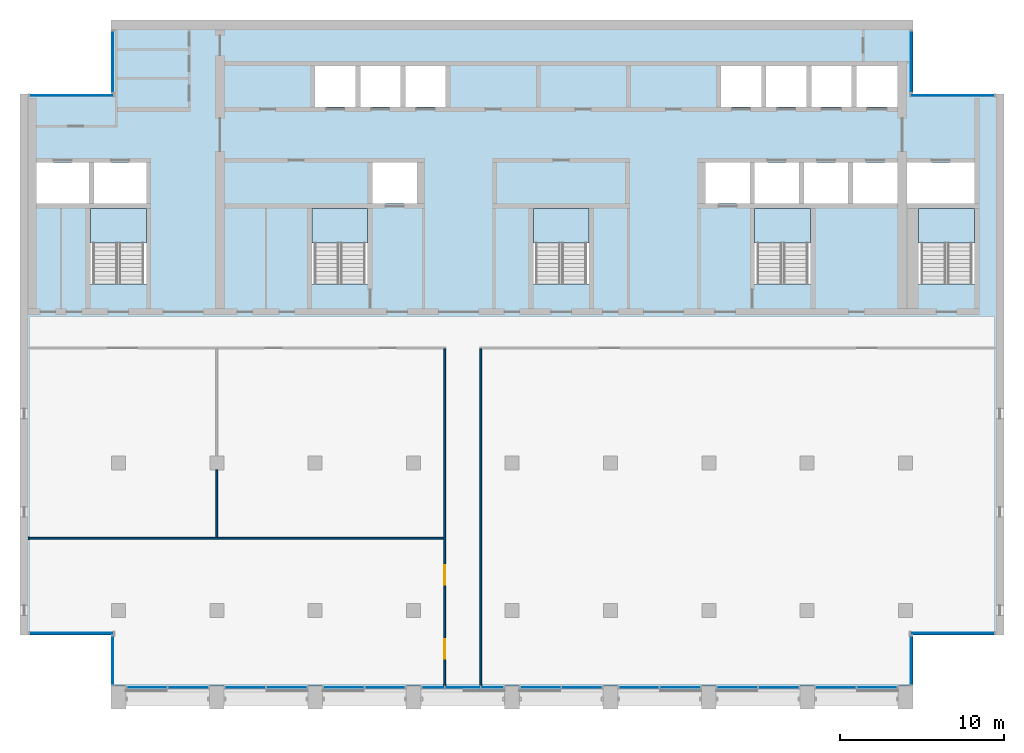
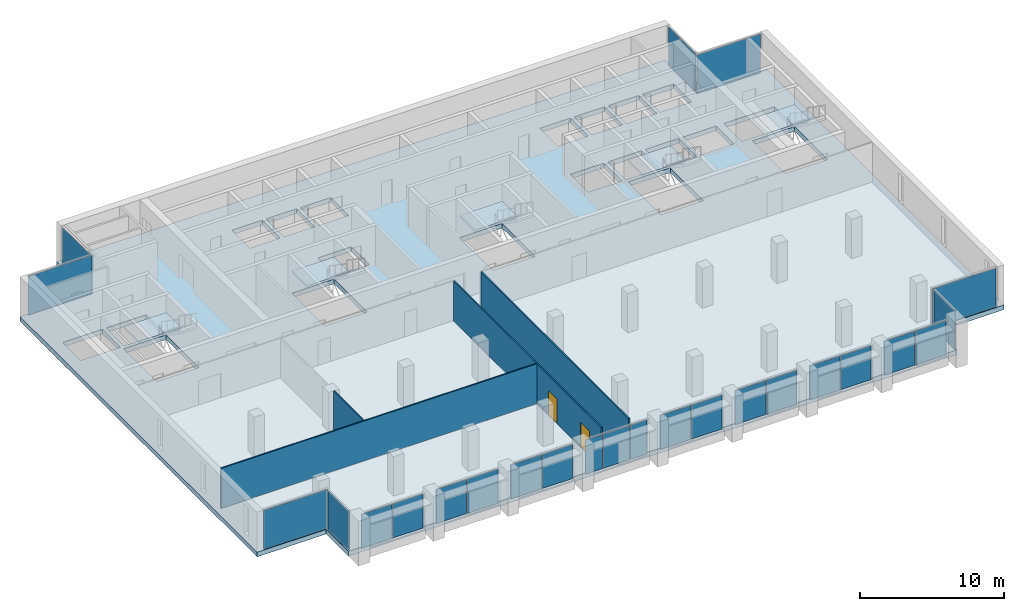
# One storey, part 6 of 14: 25 plates, 6 slabs, 4 walls, 2 doors, 2 openings, 21 elements without a shape of their own.
"""IFC4 building model written with IfcOpenShell, lengths in metres."""

import ifcopenshell
import ifcopenshell.guid

model = None  # the IFC model being written
_history = None  # IfcOwnerHistory: only IFC2X3 demands one
_inside = {}  # id of a spatial element -> (the spatial element, [elements in it])
_under = {}  # id of a project, library or spatial element -> (it, [spatial elements below it])
_declared = {}  # id of a project -> (the project, [libraries it declares])
_typed = {}  # id of a type object -> (the type object, [elements of that type])
_made_of = {}  # id of a material, layer set ... -> (it, [elements and type objects made of it])


def new_model(schema):
    """Start an empty IFC model of exactly this schema.

    Asked for "IFC4X3", IfcOpenShell would pick the latest addendum, in which some entities
    have other attributes; the version numbers below select the first issue.
    IFC2X3 requires an IfcOwnerHistory on every rooted entity: one is made here for all.
    """
    global model, _history
    if schema == "IFC4X3":
        model = ifcopenshell.file(schema_version=(4, 3, 0, 0))
    else:
        model = ifcopenshell.file(schema=schema)
    _inside.clear()
    _under.clear()
    _declared.clear()
    _typed.clear()
    _made_of.clear()
    _history = None
    if model.schema == "IFC2X3":
        org = make("IfcOrganization", Name="unknown")
        user = make(
            "IfcPersonAndOrganization",
            ThePerson=make("IfcPerson", FamilyName="unknown"),
            TheOrganization=org,
        )
        app = make(
            "IfcApplication",
            ApplicationDeveloper=org,
            Version="unknown",
            ApplicationFullName="unknown",
            ApplicationIdentifier="unknown",
        )
        _history = make(
            "IfcOwnerHistory",
            OwningUser=user,
            OwningApplication=app,
            ChangeAction="ADDED",
            CreationDate=0,
        )
    return model


def make(cls, **values):
    """One entity of the class cls with the attributes given. An attribute that is None is left unset."""
    return model.create_entity(
        cls, **{name: value for name, value in values.items() if value is not None}
    )


def rooted(cls, **values):
    """An entity with a GlobalId (a new one), such as an element, a storey or a relation."""
    return make(cls, GlobalId=ifcopenshell.guid.new(), OwnerHistory=_history, **values)


def si_unit(unit_type, name, prefix=None):
    """IfcSIUnit, for example si_unit("LENGTHUNIT", "METRE", prefix="MILLI")."""
    return make("IfcSIUnit", UnitType=unit_type, Prefix=prefix, Name=name)


def assignment(units):
    """IfcUnitAssignment: the units of a project."""
    return None if units is None else make("IfcUnitAssignment", Units=units)


def point(xyz):
    """IfcCartesianPoint."""
    return None if xyz is None else make("IfcCartesianPoint", Coordinates=xyz)


def direction(xyz):
    """IfcDirection."""
    return None if xyz is None else make("IfcDirection", DirectionRatios=xyz)


def frame(location, z_axis=None, x_axis=None):
    """IfcAxis2Placement3D, a coordinate frame: its origin and axes. An axis left out is left unset."""
    return make(
        "IfcAxis2Placement3D",
        Location=point(location),
        Axis=direction(z_axis),
        RefDirection=direction(x_axis),
    )


def frame_2d(location, x_axis=None):
    """IfcAxis2Placement2D, a coordinate frame in the plane: its origin and x axis."""
    return make(
        "IfcAxis2Placement2D", Location=point(location), RefDirection=direction(x_axis)
    )


def origin():
    """The frame at (0, 0, 0) with its axes left unset."""
    return frame((0.0, 0.0, 0.0))


def origin_2d():
    """The frame at (0, 0) in the plane with its x axis left unset."""
    return frame_2d((0.0, 0.0))


def place(relative_to, where):
    """IfcLocalPlacement: puts the frame where relative to a parent placement (None: the world)."""
    return make(
        "IfcLocalPlacement", PlacementRelTo=relative_to, RelativePlacement=where
    )


def context(
    kind, dimensions, precision=None, world=None, true_north=None, identifier=None
):
    """IfcGeometricRepresentationContext, for example the 3D "Model" context."""
    return make(
        "IfcGeometricRepresentationContext",
        ContextIdentifier=identifier,
        ContextType=kind,
        CoordinateSpaceDimension=dimensions,
        Precision=precision,
        WorldCoordinateSystem=world,
        TrueNorth=true_north,
    )


def subcontext(parent, identifier, kind, view, scale=None):
    """IfcGeometricRepresentationSubContext, for example "Body" below "Model"."""
    return make(
        "IfcGeometricRepresentationSubContext",
        ContextIdentifier=identifier,
        ContextType=kind,
        ParentContext=parent,
        TargetScale=scale,
        TargetView=view,
    )


def project(units=None, contexts=None):
    """IfcProject with its units and contexts."""
    return rooted(
        "IfcProject",
        Name="project",
        RepresentationContexts=contexts,
        UnitsInContext=assignment(units),
    )


def spatial(cls, under=None, at=None, **own):
    """A site, building, storey or space (cls), placed at a placement, below another one or the project."""
    s = rooted(cls, ObjectPlacement=at, **own)
    if under is not None:
        _under.setdefault(under.id(), (under, []))[1].append(s)
    return s


def polyline(points):
    """IfcPolyline through the points."""
    return make("IfcPolyline", Points=[point(p) for p in points])


def profile(cls, at=None, kind="AREA", **sizes):
    """A parametric profile (cls). Its sizes go by their IFC names, for example OverallWidth=200.0."""
    return make(cls, ProfileType=kind, Position=at, **sizes)


def rectangle(**sizes):
    """IfcRectangleProfileDef."""
    return profile("IfcRectangleProfileDef", **sizes)


def outline(outer, holes=None, kind="AREA"):
    """IfcArbitraryClosedProfileDef: a profile drawn as a closed curve; with holes, ...WithVoids."""
    if holes is None:
        return make("IfcArbitraryClosedProfileDef", ProfileType=kind, OuterCurve=outer)
    return make(
        "IfcArbitraryProfileDefWithVoids",
        ProfileType=kind,
        OuterCurve=outer,
        InnerCurves=holes,
    )


def extrude(swept, where, along, depth):
    """IfcExtrudedAreaSolid: the profile swept, set in the frame where, extruded along a direction by depth."""
    return make(
        "IfcExtrudedAreaSolid",
        SweptArea=swept,
        Position=where,
        ExtrudedDirection=direction(along),
        Depth=depth,
    )


def shape(context_of_items, identifier, shape_type, items):
    """IfcShapeRepresentation: the items that make up one representation, for example the "Body"."""
    return make(
        "IfcShapeRepresentation",
        ContextOfItems=context_of_items,
        RepresentationIdentifier=identifier,
        RepresentationType=shape_type,
        Items=items,
    )


def material(Name=None, Category=None):
    """IfcMaterial."""
    return make("IfcMaterial", Name=Name, Category=Category)


def layer(
    of_material, thickness, ventilated=None, Name=None, Category=None, Priority=None
):
    """IfcMaterialLayer: one layer of a wall or slab, of a material (None: an air gap)."""
    return make(
        "IfcMaterialLayer",
        Material=of_material,
        LayerThickness=thickness,
        IsVentilated=ventilated,
        Name=Name,
        Category=Category,
        Priority=Priority,
    )


def layer_set(layers, Name=None):
    """IfcMaterialLayerSet."""
    return make("IfcMaterialLayerSet", MaterialLayers=layers, LayerSetName=Name)


def made_of(thing, what):
    """Note that an element or type object is made of a material, layer set ...; save() writes the relation."""
    if what is not None:
        _made_of.setdefault(what.id(), (what, []))[1].append(thing)
    return thing


def type_object(cls, material=None, **own):
    """A type object (cls), such as IfcWallType, which elements share."""
    return made_of(rooted(cls, **own), material)


def element(
    cls,
    number,
    at=None,
    inside=None,
    cuts=None,
    type_object=None,
    material=None,
    context=None,
    identifier="Body",
    shape_type=None,
    held_by="IfcProductDefinitionShape",
    body=None,
    shapes=None,
    **own,
):
    """One element of the class cls, such as IfcWall. Its Tag is "e" and its number.

    at: its placement. inside: the storey or other place that contains it. cuts: it is an
    opening in that element (IfcRelVoidsElement). A single representation is given by context,
    identifier, shape_type and body (its items); several are given by shapes. held_by: the class
    of the entity that holds the representations. save() writes the other relations.
    """
    e = rooted(cls, Tag="e%d" % number, ObjectPlacement=at, **own)
    if body is not None:
        shapes = [shape(context, identifier, shape_type, body)]
    if shapes is not None:
        e.Representation = make(held_by, Representations=shapes)
    if inside is not None:
        _inside.setdefault(inside.id(), (inside, []))[1].append(e)
    if cuts is not None:
        rooted(
            "IfcRelVoidsElement", RelatingBuildingElement=cuts, RelatedOpeningElement=e
        )
    if type_object is not None:
        _typed.setdefault(type_object.id(), (type_object, []))[1].append(e)
    return made_of(e, material)


def fill(opening, filler):
    """IfcRelFillsElement: the door or window that sits in an opening."""
    return rooted(
        "IfcRelFillsElement",
        RelatingOpeningElement=opening,
        RelatedBuildingElement=filler,
    )


def aggregate(whole, parts):
    """IfcRelAggregates: a whole, such as a stair, and the parts it consists of."""
    return rooted("IfcRelAggregates", RelatingObject=whole, RelatedObjects=parts)


def save(model, path):
    """Write the relations noted so far, then the file.

    IfcRelAggregates (storeys below a building ...), IfcRelContainedInSpatialStructure (elements
    in a storey), IfcRelDefinesByType, IfcRelAssociatesMaterial and IfcRelDeclares: one each for
    every whole, place, type object, material and project.
    """
    for whole, parts in _under.values():
        aggregate(whole, parts)
    for where, things in _inside.values():
        rooted(
            "IfcRelContainedInSpatialStructure",
            RelatedElements=things,
            RelatingStructure=where,
        )
    for kind, things in _typed.values():
        rooted("IfcRelDefinesByType", RelatedObjects=things, RelatingType=kind)
    for what, things in _made_of.values():
        rooted("IfcRelAssociatesMaterial", RelatedObjects=things, RelatingMaterial=what)
    for by, libraries in _declared.values():
        rooted("IfcRelDeclares", RelatingContext=by, RelatedDefinitions=libraries)
    model.write(path)


model = new_model("IFC4")

# Units and contexts
model_context = context("Model", 3, precision=1e-05, world=origin(), true_north=direction((0.0, 1.0)))
body_context = subcontext(model_context, "Body", "Model", "MODEL_VIEW")
ifc_project = project(units=[si_unit("LENGTHUNIT", "METRE"), si_unit("AREAUNIT", "SQUARE_METRE"), si_unit("VOLUMEUNIT", "CUBIC_METRE"), si_unit("PLANEANGLEUNIT", "RADIAN"), si_unit("MASSUNIT", "GRAM", prefix="KILO")], contexts=[model_context])

# Site, building, storey
site_placement = place(None, origin())
site = spatial("IfcSite", under=ifc_project, at=site_placement, CompositionType="ELEMENT")
building_placement = place(site_placement, origin())
building = spatial("IfcBuilding", under=site, at=building_placement, Name="Calvaro Tower", CompositionType="ELEMENT")
storey_placement = place(building_placement, frame((0.0, 0.0, 250.75)))
storey = spatial("IfcBuildingStorey", under=building, at=storey_placement, Name="L63", CompositionType="ELEMENT", Elevation=250.75)

# Slab
ifc_material_1 = material(Name="Concrete C40/50", Category="concrete")
ifc_layer_1 = layer(ifc_material_1, 0.39990234375)
ifc_layer_set_1 = layer_set([ifc_layer_1], Name="Concrete C40/50")
slab_type_1 = type_object("IfcSlabType", Name="Floor slab 400 C40/50", PredefinedType="FLOOR", material=ifc_layer_set_1)
slab_1_placement = place(storey_placement, frame((0.0, 0.0, -0.39990234375)))
element("IfcSlab", 1, at=slab_1_placement, inside=storey, type_object=slab_type_1, Name="Floor slab", PredefinedType="FLOOR", context=body_context, shape_type="SweptSolid", body=[
    extrude(outline(polyline([(60.449951171875, 8.5), (60.449951171875, 5.39990234375), (11.550048828125, 5.39990234375), (11.550048828125, 8.5), (6.0, 8.5), (6.0, 41.5), (11.550048828125, 41.5), (11.550048828125, 46.0), (60.449951171875, 46.0), (60.449951171875, 41.5), (66.0, 41.5), (66.0, 8.5), (60.449951171875, 8.5)]), holes=[polyline([(10.300048828125, 29.909912109375), (10.300048828125, 34.5), (12.0, 34.5), (13.699951171875, 34.5), (13.699951171875, 29.909912109375), (12.0, 29.909912109375), (10.300048828125, 29.909912109375)]), polyline([(23.800048828125, 29.909912109375), (23.800048828125, 34.5), (25.5, 34.5), (27.199951171875, 34.5), (27.199951171875, 29.909912109375), (25.5, 29.909912109375), (23.800048828125, 29.909912109375)]), polyline([(37.300048828125, 29.909912109375), (37.300048828125, 34.5), (39.0, 34.5), (40.699951171875, 34.5), (40.699951171875, 29.909912109375), (39.0, 29.909912109375), (37.300048828125, 29.909912109375)]), polyline([(50.800048828125, 29.909912109375), (50.800048828125, 34.5), (52.5, 34.5), (54.199951171875, 34.5), (54.199951171875, 29.909912109375), (52.5, 29.909912109375), (50.800048828125, 29.909912109375)]), polyline([(60.800048828125, 29.909912109375), (60.800048828125, 34.5), (62.5, 34.5), (64.199951171875, 34.5), (64.199951171875, 29.909912109375), (62.5, 29.909912109375), (60.800048828125, 29.909912109375)]), polyline([(50.800048828125, 34.800048828125), (53.5, 34.800048828125), (53.5, 37.300048828125), (50.800048828125, 37.300048828125), (50.800048828125, 34.800048828125)]), polyline([(53.800048828125, 34.800048828125), (56.5, 34.800048828125), (56.5, 37.300048828125), (53.800048828125, 37.300048828125), (53.800048828125, 34.800048828125)]), polyline([(56.800048828125, 34.800048828125), (59.5, 34.800048828125), (59.5, 37.300048828125), (56.800048828125, 37.300048828125), (56.800048828125, 34.800048828125)]), polyline([(24.0, 40.699951171875), (26.449951171875, 40.699951171875), (26.449951171875, 43.199951171875), (24.0, 43.199951171875), (24.0, 40.699951171875)]), polyline([(26.75, 40.699951171875), (29.199951171875, 40.699951171875), (29.199951171875, 43.199951171875), (26.75, 43.199951171875), (26.75, 40.699951171875)]), polyline([(29.5, 40.699951171875), (31.949951171875, 40.699951171875), (31.949951171875, 43.199951171875), (29.5, 43.199951171875), (29.5, 40.699951171875)]), polyline([(48.75, 40.699951171875), (51.199951171875, 40.699951171875), (51.199951171875, 43.199951171875), (48.75, 43.199951171875), (48.75, 40.699951171875)]), polyline([(51.5, 40.699951171875), (53.949951171875, 40.699951171875), (53.949951171875, 43.199951171875), (51.5, 43.199951171875), (51.5, 40.699951171875)]), polyline([(54.25, 40.699951171875), (56.699951171875, 40.699951171875), (56.699951171875, 43.199951171875), (54.25, 43.199951171875), (54.25, 40.699951171875)]), polyline([(57.0, 40.699951171875), (59.5, 40.699951171875), (59.5, 43.199951171875), (57.0, 43.199951171875), (57.0, 40.699951171875)]), polyline([(7.0, 34.800048828125), (10.199951171875, 34.800048828125), (10.199951171875, 37.300048828125), (7.0, 37.300048828125), (7.0, 34.800048828125)]), polyline([(10.5, 34.800048828125), (13.699951171875, 34.800048828125), (13.699951171875, 37.300048828125), (10.5, 37.300048828125), (10.5, 34.800048828125)]), polyline([(60.10009765625, 34.800048828125), (64.199951171875, 34.800048828125), (64.199951171875, 37.300048828125), (60.10009765625, 37.300048828125), (60.10009765625, 34.800048828125)]), polyline([(27.5, 34.800048828125), (30.199951171875, 34.800048828125), (30.199951171875, 37.300048828125), (27.5, 37.300048828125), (27.5, 34.800048828125)]), polyline([(47.800048828125, 34.800048828125), (50.5, 34.800048828125), (50.5, 37.300048828125), (47.800048828125, 37.300048828125), (47.800048828125, 34.800048828125)])]), origin(), (0.0, 0.0, 1.0), 0.39990234375),
])

# Curtain wall, plates
ifc_material_2 = material(Name="Anodised aluminium", Category="aluminium")
curtain_wall_type = type_object("IfcCurtainWallType", Name="Executive curtain wall", PredefinedType="NOTDEFINED", material=ifc_material_2)
curtain_wall_1_placement = place(storey_placement, origin())
curtain_wall_1 = element("IfcCurtainWall", 2, at=curtain_wall_1_placement, inside=storey, type_object=curtain_wall_type, Name="CW4 south curtain wall", PredefinedType="NOTDEFINED")
ifc_material_3 = material(Name="Glass", Category="glass")
ifc_layer_2 = layer(ifc_material_3, 0.0400390625)
ifc_layer_set_2 = layer_set([ifc_layer_2], Name="Glass")
plate_type = type_object("IfcPlateType", Name="Glass panel S4 40", PredefinedType="CURTAIN_PANEL", material=ifc_layer_set_2)
plate_1_placement = place(storey_placement, frame((13.7451171875, 5.2900390625, 0.0), z_axis=(0.0, 0.0, 1.0), x_axis=(1.0, 0.0, 0.0)))
plate_1 = element("IfcPlate", 3, at=plate_1_placement, type_object=plate_type, Name="CW4 glass panel 1.1", PredefinedType="CURTAIN_PANEL", context=body_context, shape_type="SweptSolid", body=[
    extrude(rectangle(XDim=2.429931640625, YDim=0.0400390625, at=origin_2d()), origin(), (0.0, 0.0, 1.0), 2.8798828125),
])
plate_2_placement = place(storey_placement, frame((16.2548828125, 5.2900390625, 0.0), z_axis=(0.0, 0.0, 1.0), x_axis=(1.0, 0.0, 0.0)))
plate_2 = element("IfcPlate", 4, at=plate_2_placement, type_object=plate_type, Name="CW4 glass panel 2.1", PredefinedType="CURTAIN_PANEL", context=body_context, shape_type="SweptSolid", body=[
    extrude(rectangle(XDim=2.429931640625, YDim=0.0400390625, at=origin_2d()), origin(), (0.0, 0.0, 1.0), 2.8798828125),
])
aggregate(curtain_wall_1, [plate_1, plate_2])

curtain_wall_2_placement = place(storey_placement, origin())
curtain_wall_2 = element("IfcCurtainWall", 5, at=curtain_wall_2_placement, inside=storey, type_object=curtain_wall_type, Name="CW4 south curtain wall", PredefinedType="NOTDEFINED")
plate_3_placement = place(storey_placement, frame((19.7451171875, 5.2900390625, 0.0), z_axis=(0.0, 0.0, 1.0), x_axis=(1.0, 0.0, 0.0)))
plate_3 = element("IfcPlate", 6, at=plate_3_placement, type_object=plate_type, Name="CW4 glass panel 1.1", PredefinedType="CURTAIN_PANEL", context=body_context, shape_type="SweptSolid", body=[
    extrude(rectangle(XDim=2.429931640625, YDim=0.0400390625, at=origin_2d()), origin(), (0.0, 0.0, 1.0), 2.8798828125),
])
plate_4_placement = place(storey_placement, frame((22.2548828125, 5.2900390625, 0.0), z_axis=(0.0, 0.0, 1.0), x_axis=(1.0, 0.0, 0.0)))
plate_4 = element("IfcPlate", 7, at=plate_4_placement, type_object=plate_type, Name="CW4 glass panel 2.1", PredefinedType="CURTAIN_PANEL", context=body_context, shape_type="SweptSolid", body=[
    extrude(rectangle(XDim=2.429931640625, YDim=0.0400390625, at=origin_2d()), origin(), (0.0, 0.0, 1.0), 2.8798828125),
])
aggregate(curtain_wall_2, [plate_3, plate_4])

curtain_wall_3_placement = place(storey_placement, origin())
curtain_wall_3 = element("IfcCurtainWall", 8, at=curtain_wall_3_placement, inside=storey, type_object=curtain_wall_type, Name="CW4 south curtain wall", PredefinedType="NOTDEFINED")
plate_5_placement = place(storey_placement, frame((25.7451171875, 5.2900390625, 0.0), z_axis=(0.0, 0.0, 1.0), x_axis=(1.0, 0.0, 0.0)))
plate_5 = element("IfcPlate", 9, at=plate_5_placement, type_object=plate_type, Name="CW4 glass panel 1.1", PredefinedType="CURTAIN_PANEL", context=body_context, shape_type="SweptSolid", body=[
    extrude(rectangle(XDim=2.429931640625, YDim=0.0400390625, at=origin_2d()), origin(), (0.0, 0.0, 1.0), 2.8798828125),
])
plate_6_placement = place(storey_placement, frame((28.2548828125, 5.2900390625, 0.0), z_axis=(0.0, 0.0, 1.0), x_axis=(1.0, 0.0, 0.0)))
plate_6 = element("IfcPlate", 10, at=plate_6_placement, type_object=plate_type, Name="CW4 glass panel 2.1", PredefinedType="CURTAIN_PANEL", context=body_context, shape_type="SweptSolid", body=[
    extrude(rectangle(XDim=2.429931640625, YDim=0.0400390625, at=origin_2d()), origin(), (0.0, 0.0, 1.0), 2.8798828125),
])
aggregate(curtain_wall_3, [plate_5, plate_6])

curtain_wall_4_placement = place(storey_placement, origin())
curtain_wall_4 = element("IfcCurtainWall", 11, at=curtain_wall_4_placement, inside=storey, type_object=curtain_wall_type, Name="CW4 south curtain wall", PredefinedType="NOTDEFINED")
plate_7_placement = place(storey_placement, frame((31.195068359375, 5.2900390625, 0.0), z_axis=(0.0, 0.0, 1.0), x_axis=(1.0, 0.0, 0.0)))
plate_7 = element("IfcPlate", 12, at=plate_7_placement, type_object=plate_type, Name="CW4 glass panel 1.1", PredefinedType="CURTAIN_PANEL", context=body_context, shape_type="SweptSolid", body=[
    extrude(rectangle(XDim=1.330078125, YDim=0.0400390625, at=origin_2d()), origin(), (0.0, 0.0, 1.0), 2.8798828125),
])
plate_8_placement = place(storey_placement, frame((33.0, 5.2900390625, 0.0), z_axis=(0.0, 0.0, 1.0), x_axis=(1.0, 0.0, 0.0)))
plate_8 = element("IfcPlate", 13, at=plate_8_placement, type_object=plate_type, Name="CW4 glass panel 2.1", PredefinedType="CURTAIN_PANEL", context=body_context, shape_type="SweptSolid", body=[
    extrude(rectangle(XDim=2.1201171875, YDim=0.0400390625, at=origin_2d()), origin(), (0.0, 0.0, 1.0), 2.8798828125),
])
plate_9_placement = place(storey_placement, frame((34.804931640625, 5.2900390625, 0.0), z_axis=(0.0, 0.0, 1.0), x_axis=(1.0, 0.0, 0.0)))
plate_9 = element("IfcPlate", 14, at=plate_9_placement, type_object=plate_type, Name="CW4 glass panel 3.1", PredefinedType="CURTAIN_PANEL", context=body_context, shape_type="SweptSolid", body=[
    extrude(rectangle(XDim=1.330078125, YDim=0.0400390625, at=origin_2d()), origin(), (0.0, 0.0, 1.0), 2.8798828125),
])
aggregate(curtain_wall_4, [plate_7, plate_8, plate_9])

curtain_wall_5_placement = place(storey_placement, origin())
curtain_wall_5 = element("IfcCurtainWall", 15, at=curtain_wall_5_placement, inside=storey, type_object=curtain_wall_type, Name="CW4 south curtain wall", PredefinedType="NOTDEFINED")
plate_10_placement = place(storey_placement, frame((37.7451171875, 5.2900390625, 0.0), z_axis=(0.0, 0.0, 1.0), x_axis=(1.0, 0.0, 0.0)))
plate_10 = element("IfcPlate", 16, at=plate_10_placement, type_object=plate_type, Name="CW4 glass panel 1.1", PredefinedType="CURTAIN_PANEL", context=body_context, shape_type="SweptSolid", body=[
    extrude(rectangle(XDim=2.429931640625, YDim=0.0400390625, at=origin_2d()), origin(), (0.0, 0.0, 1.0), 2.8798828125),
])
plate_11_placement = place(storey_placement, frame((40.2548828125, 5.2900390625, 0.0), z_axis=(0.0, 0.0, 1.0), x_axis=(1.0, 0.0, 0.0)))
plate_11 = element("IfcPlate", 17, at=plate_11_placement, type_object=plate_type, Name="CW4 glass panel 2.1", PredefinedType="CURTAIN_PANEL", context=body_context, shape_type="SweptSolid", body=[
    extrude(rectangle(XDim=2.429931640625, YDim=0.0400390625, at=origin_2d()), origin(), (0.0, 0.0, 1.0), 2.8798828125),
])
aggregate(curtain_wall_5, [plate_10, plate_11])

curtain_wall_6_placement = place(storey_placement, origin())
curtain_wall_6 = element("IfcCurtainWall", 18, at=curtain_wall_6_placement, inside=storey, type_object=curtain_wall_type, Name="CW4 south curtain wall", PredefinedType="NOTDEFINED")
plate_12_placement = place(storey_placement, frame((43.7451171875, 5.2900390625, 0.0), z_axis=(0.0, 0.0, 1.0), x_axis=(1.0, 0.0, 0.0)))
plate_12 = element("IfcPlate", 19, at=plate_12_placement, type_object=plate_type, Name="CW4 glass panel 1.1", PredefinedType="CURTAIN_PANEL", context=body_context, shape_type="SweptSolid", body=[
    extrude(rectangle(XDim=2.429931640625, YDim=0.0400390625, at=origin_2d()), origin(), (0.0, 0.0, 1.0), 2.8798828125),
])
plate_13_placement = place(storey_placement, frame((46.2548828125, 5.2900390625, 0.0), z_axis=(0.0, 0.0, 1.0), x_axis=(1.0, 0.0, 0.0)))
plate_13 = element("IfcPlate", 20, at=plate_13_placement, type_object=plate_type, Name="CW4 glass panel 2.1", PredefinedType="CURTAIN_PANEL", context=body_context, shape_type="SweptSolid", body=[
    extrude(rectangle(XDim=2.429931640625, YDim=0.0400390625, at=origin_2d()), origin(), (0.0, 0.0, 1.0), 2.8798828125),
])
aggregate(curtain_wall_6, [plate_12, plate_13])

curtain_wall_7_placement = place(storey_placement, origin())
curtain_wall_7 = element("IfcCurtainWall", 21, at=curtain_wall_7_placement, inside=storey, type_object=curtain_wall_type, Name="CW4 south curtain wall", PredefinedType="NOTDEFINED")
plate_14_placement = place(storey_placement, frame((49.7451171875, 5.2900390625, 0.0), z_axis=(0.0, 0.0, 1.0), x_axis=(1.0, 0.0, 0.0)))
plate_14 = element("IfcPlate", 22, at=plate_14_placement, type_object=plate_type, Name="CW4 glass panel 1.1", PredefinedType="CURTAIN_PANEL", context=body_context, shape_type="SweptSolid", body=[
    extrude(rectangle(XDim=2.429931640625, YDim=0.0400390625, at=origin_2d()), origin(), (0.0, 0.0, 1.0), 2.8798828125),
])
plate_15_placement = place(storey_placement, frame((52.2548828125, 5.2900390625, 0.0), z_axis=(0.0, 0.0, 1.0), x_axis=(1.0, 0.0, 0.0)))
plate_15 = element("IfcPlate", 23, at=plate_15_placement, type_object=plate_type, Name="CW4 glass panel 2.1", PredefinedType="CURTAIN_PANEL", context=body_context, shape_type="SweptSolid", body=[
    extrude(rectangle(XDim=2.429931640625, YDim=0.0400390625, at=origin_2d()), origin(), (0.0, 0.0, 1.0), 2.8798828125),
])
aggregate(curtain_wall_7, [plate_14, plate_15])

curtain_wall_8_placement = place(storey_placement, origin())
curtain_wall_8 = element("IfcCurtainWall", 24, at=curtain_wall_8_placement, inside=storey, type_object=curtain_wall_type, Name="CW4 south curtain wall", PredefinedType="NOTDEFINED")
plate_16_placement = place(storey_placement, frame((55.7451171875, 5.2900390625, 0.0), z_axis=(0.0, 0.0, 1.0), x_axis=(1.0, 0.0, 0.0)))
plate_16 = element("IfcPlate", 25, at=plate_16_placement, type_object=plate_type, Name="CW4 glass panel 1.1", PredefinedType="CURTAIN_PANEL", context=body_context, shape_type="SweptSolid", body=[
    extrude(rectangle(XDim=2.429931640625, YDim=0.0400390625, at=origin_2d()), origin(), (0.0, 0.0, 1.0), 2.8798828125),
])
plate_17_placement = place(storey_placement, frame((58.2548828125, 5.2900390625, 0.0), z_axis=(0.0, 0.0, 1.0), x_axis=(1.0, 0.0, 0.0)))
plate_17 = element("IfcPlate", 26, at=plate_17_placement, type_object=plate_type, Name="CW4 glass panel 2.1", PredefinedType="CURTAIN_PANEL", context=body_context, shape_type="SweptSolid", body=[
    extrude(rectangle(XDim=2.429931640625, YDim=0.0400390625, at=origin_2d()), origin(), (0.0, 0.0, 1.0), 2.8798828125),
])
aggregate(curtain_wall_8, [plate_16, plate_17])

# Curtain wall, plate
curtain_wall_9_placement = place(storey_placement, origin())
curtain_wall_9 = element("IfcCurtainWall", 27, at=curtain_wall_9_placement, inside=storey, type_object=curtain_wall_type, Name="CW4 corner curtain wall", PredefinedType="NOTDEFINED")
plate_18_placement = place(storey_placement, frame((11.659912109375, 6.949951171875, 0.0), z_axis=(0.0, 0.0, 1.0), x_axis=(0.0, 1.0, 0.0)))
plate_18 = element("IfcPlate", 28, at=plate_18_placement, type_object=plate_type, Name="CW4 glass panel 1.1", PredefinedType="CURTAIN_PANEL", context=body_context, shape_type="SweptSolid", body=[
    extrude(rectangle(XDim=2.93994140625, YDim=0.0400390625, at=origin_2d()), origin(), (0.0, 0.0, 1.0), 3.280029296875),
])
aggregate(curtain_wall_9, [plate_18])

curtain_wall_10_placement = place(storey_placement, origin())
curtain_wall_10 = element("IfcCurtainWall", 29, at=curtain_wall_10_placement, inside=storey, type_object=curtain_wall_type, Name="CW4 corner curtain wall", PredefinedType="NOTDEFINED")
plate_19_placement = place(storey_placement, frame((9.135009765625, 8.610107421875, 0.0), z_axis=(0.0, 0.0, 1.0), x_axis=(1.0, 0.0, 0.0)))
plate_19 = element("IfcPlate", 30, at=plate_19_placement, type_object=plate_type, Name="CW4 glass panel 1.1", PredefinedType="CURTAIN_PANEL", context=body_context, shape_type="SweptSolid", body=[
    extrude(rectangle(XDim=5.110107421875, YDim=0.0400390625, at=origin_2d()), origin(), (0.0, 0.0, 1.0), 3.280029296875),
])
aggregate(curtain_wall_10, [plate_19])

curtain_wall_11_placement = place(storey_placement, origin())
curtain_wall_11 = element("IfcCurtainWall", 31, at=curtain_wall_11_placement, inside=storey, type_object=curtain_wall_type, Name="CW4 corner curtain wall", PredefinedType="NOTDEFINED")
plate_20_placement = place(storey_placement, frame((11.659912109375, 43.449951171875, 0.0), z_axis=(0.0, 0.0, 1.0), x_axis=(0.0, 1.0, 0.0)))
plate_20 = element("IfcPlate", 32, at=plate_20_placement, type_object=plate_type, Name="CW4 glass panel 1.1", PredefinedType="CURTAIN_PANEL", context=body_context, shape_type="SweptSolid", body=[
    extrude(rectangle(XDim=3.739990234375, YDim=0.0400390625, at=origin_2d()), origin(), (0.0, 0.0, 1.0), 3.280029296875),
])
aggregate(curtain_wall_11, [plate_20])

curtain_wall_12_placement = place(storey_placement, origin())
curtain_wall_12 = element("IfcCurtainWall", 33, at=curtain_wall_12_placement, inside=storey, type_object=curtain_wall_type, Name="CW4 corner curtain wall", PredefinedType="NOTDEFINED")
plate_21_placement = place(storey_placement, frame((9.135009765625, 41.389892578125, 0.0), z_axis=(0.0, 0.0, 1.0), x_axis=(1.0, 0.0, 0.0)))
plate_21 = element("IfcPlate", 34, at=plate_21_placement, type_object=plate_type, Name="CW4 glass panel 1.1", PredefinedType="CURTAIN_PANEL", context=body_context, shape_type="SweptSolid", body=[
    extrude(rectangle(XDim=5.110107421875, YDim=0.0400390625, at=origin_2d()), origin(), (0.0, 0.0, 1.0), 3.280029296875),
])
aggregate(curtain_wall_12, [plate_21])

curtain_wall_13_placement = place(storey_placement, origin())
curtain_wall_13 = element("IfcCurtainWall", 35, at=curtain_wall_13_placement, inside=storey, type_object=curtain_wall_type, Name="CW4 corner curtain wall", PredefinedType="NOTDEFINED")
plate_22_placement = place(storey_placement, frame((60.340087890625, 6.949951171875, 0.0), z_axis=(0.0, 0.0, 1.0), x_axis=(0.0, 1.0, 0.0)))
plate_22 = element("IfcPlate", 36, at=plate_22_placement, type_object=plate_type, Name="CW4 glass panel 1.1", PredefinedType="CURTAIN_PANEL", context=body_context, shape_type="SweptSolid", body=[
    extrude(rectangle(XDim=2.93994140625, YDim=0.0400390625, at=origin_2d()), origin(), (0.0, 0.0, 1.0), 3.280029296875),
])
aggregate(curtain_wall_13, [plate_22])

curtain_wall_14_placement = place(storey_placement, origin())
curtain_wall_14 = element("IfcCurtainWall", 37, at=curtain_wall_14_placement, inside=storey, type_object=curtain_wall_type, Name="CW4 corner curtain wall", PredefinedType="NOTDEFINED")
plate_23_placement = place(storey_placement, frame((62.864990234375, 8.610107421875, 0.0), z_axis=(0.0, 0.0, 1.0), x_axis=(1.0, 0.0, 0.0)))
plate_23 = element("IfcPlate", 38, at=plate_23_placement, type_object=plate_type, Name="CW4 glass panel 1.1", PredefinedType="CURTAIN_PANEL", context=body_context, shape_type="SweptSolid", body=[
    extrude(rectangle(XDim=5.110107421875, YDim=0.0400390625, at=origin_2d()), origin(), (0.0, 0.0, 1.0), 3.280029296875),
])
aggregate(curtain_wall_14, [plate_23])

curtain_wall_15_placement = place(storey_placement, origin())
curtain_wall_15 = element("IfcCurtainWall", 39, at=curtain_wall_15_placement, inside=storey, type_object=curtain_wall_type, Name="CW4 corner curtain wall", PredefinedType="NOTDEFINED")
plate_24_placement = place(storey_placement, frame((60.340087890625, 43.449951171875, 0.0), z_axis=(0.0, 0.0, 1.0), x_axis=(0.0, 1.0, 0.0)))
plate_24 = element("IfcPlate", 40, at=plate_24_placement, type_object=plate_type, Name="CW4 glass panel 1.1", PredefinedType="CURTAIN_PANEL", context=body_context, shape_type="SweptSolid", body=[
    extrude(rectangle(XDim=3.739990234375, YDim=0.0400390625, at=origin_2d()), origin(), (0.0, 0.0, 1.0), 3.280029296875),
])
aggregate(curtain_wall_15, [plate_24])

curtain_wall_16_placement = place(storey_placement, origin())
curtain_wall_16 = element("IfcCurtainWall", 41, at=curtain_wall_16_placement, inside=storey, type_object=curtain_wall_type, Name="CW4 corner curtain wall", PredefinedType="NOTDEFINED")
plate_25_placement = place(storey_placement, frame((62.864990234375, 41.389892578125, 0.0), z_axis=(0.0, 0.0, 1.0), x_axis=(1.0, 0.0, 0.0)))
plate_25 = element("IfcPlate", 42, at=plate_25_placement, type_object=plate_type, Name="CW4 glass panel 1.1", PredefinedType="CURTAIN_PANEL", context=body_context, shape_type="SweptSolid", body=[
    extrude(rectangle(XDim=5.110107421875, YDim=0.0400390625, at=origin_2d()), origin(), (0.0, 0.0, 1.0), 3.280029296875),
])
aggregate(curtain_wall_16, [plate_25])

# Stair, slab
ifc_material_4 = material(Name="Concrete C40/50", Category="concrete")
stair_type = type_object("IfcStairType", Name="Exit stair 1400 2 flights", PredefinedType="HALF_TURN_STAIR", material=ifc_material_4)
stair_1_placement = place(storey_placement, origin())
stair_1 = element("IfcStair", 43, at=stair_1_placement, inside=storey, type_object=stair_type, Name="Exit stair S1", PredefinedType="HALF_TURN_STAIR")
ifc_material_5 = material(Name="Concrete C40/50", Category="concrete")
ifc_layer_3 = layer(ifc_material_5, 0.199951171875)
ifc_layer_set_3 = layer_set([ifc_layer_3], Name="Concrete C40/50")
slab_type_2 = type_object("IfcSlabType", Name="Stair landing", PredefinedType="LANDING", material=ifc_layer_set_3)
slab_2_placement = place(storey_placement, frame((0.0, 0.0, 1.699951171875)))
slab_2 = element("IfcSlab", 44, at=slab_2_placement, type_object=slab_type_2, Name="Exit stair 1, landing 1", PredefinedType="LANDING", context=body_context, shape_type="SweptSolid", body=[
    extrude(outline(polyline([(11.89990234375, 32.389892578125), (10.5, 32.389892578125), (10.5, 32.39990234375), (10.300048828125, 32.39990234375), (10.300048828125, 34.5), (10.5, 34.5), (11.89990234375, 34.5), (12.10009765625, 34.5), (13.5, 34.5), (13.699951171875, 34.5), (13.699951171875, 32.39990234375), (13.5, 32.39990234375), (13.5, 32.389892578125), (12.10009765625, 32.389892578125), (12.10009765625, 32.39990234375), (11.89990234375, 32.39990234375), (11.89990234375, 32.389892578125)])), origin(), (0.0, 0.0, 1.0), 0.199951171875),
])
aggregate(stair_1, [slab_2])

stair_2_placement = place(storey_placement, origin())
stair_2 = element("IfcStair", 45, at=stair_2_placement, inside=storey, type_object=stair_type, Name="Exit stair S2", PredefinedType="HALF_TURN_STAIR")
slab_3_placement = place(storey_placement, frame((0.0, 0.0, 1.699951171875)))
slab_3 = element("IfcSlab", 46, at=slab_3_placement, type_object=slab_type_2, Name="Exit stair 2, landing 1", PredefinedType="LANDING", context=body_context, shape_type="SweptSolid", body=[
    extrude(outline(polyline([(25.39990234375, 32.389892578125), (24.0, 32.389892578125), (24.0, 32.39990234375), (23.800048828125, 32.39990234375), (23.800048828125, 34.5), (24.0, 34.5), (25.39990234375, 34.5), (25.60009765625, 34.5), (27.0, 34.5), (27.199951171875, 34.5), (27.199951171875, 32.39990234375), (27.0, 32.39990234375), (27.0, 32.389892578125), (25.60009765625, 32.389892578125), (25.60009765625, 32.39990234375), (25.39990234375, 32.39990234375), (25.39990234375, 32.389892578125)])), origin(), (0.0, 0.0, 1.0), 0.199951171875),
])
aggregate(stair_2, [slab_3])

stair_3_placement = place(storey_placement, origin())
stair_3 = element("IfcStair", 47, at=stair_3_placement, inside=storey, type_object=stair_type, Name="Exit stair S3", PredefinedType="HALF_TURN_STAIR")
slab_4_placement = place(storey_placement, frame((0.0, 0.0, 1.699951171875)))
slab_4 = element("IfcSlab", 48, at=slab_4_placement, type_object=slab_type_2, Name="Exit stair 3, landing 1", PredefinedType="LANDING", context=body_context, shape_type="SweptSolid", body=[
    extrude(outline(polyline([(38.89990234375, 32.389892578125), (37.5, 32.389892578125), (37.5, 32.39990234375), (37.300048828125, 32.39990234375), (37.300048828125, 34.5), (37.5, 34.5), (38.89990234375, 34.5), (39.10009765625, 34.5), (40.5, 34.5), (40.699951171875, 34.5), (40.699951171875, 32.39990234375), (40.5, 32.39990234375), (40.5, 32.389892578125), (39.10009765625, 32.389892578125), (39.10009765625, 32.39990234375), (38.89990234375, 32.39990234375), (38.89990234375, 32.389892578125)])), origin(), (0.0, 0.0, 1.0), 0.199951171875),
])
aggregate(stair_3, [slab_4])

stair_4_placement = place(storey_placement, origin())
stair_4 = element("IfcStair", 49, at=stair_4_placement, inside=storey, type_object=stair_type, Name="Exit stair S4", PredefinedType="HALF_TURN_STAIR")
slab_5_placement = place(storey_placement, frame((0.0, 0.0, 1.699951171875)))
slab_5 = element("IfcSlab", 50, at=slab_5_placement, type_object=slab_type_2, Name="Exit stair 4, landing 1", PredefinedType="LANDING", context=body_context, shape_type="SweptSolid", body=[
    extrude(outline(polyline([(52.39990234375, 32.389892578125), (51.0, 32.389892578125), (51.0, 32.39990234375), (50.800048828125, 32.39990234375), (50.800048828125, 34.5), (51.0, 34.5), (52.39990234375, 34.5), (52.60009765625, 34.5), (54.0, 34.5), (54.199951171875, 34.5), (54.199951171875, 32.39990234375), (54.0, 32.39990234375), (54.0, 32.389892578125), (52.60009765625, 32.389892578125), (52.60009765625, 32.39990234375), (52.39990234375, 32.39990234375), (52.39990234375, 32.389892578125)])), origin(), (0.0, 0.0, 1.0), 0.199951171875),
])
aggregate(stair_4, [slab_5])

stair_5_placement = place(storey_placement, origin())
stair_5 = element("IfcStair", 51, at=stair_5_placement, inside=storey, type_object=stair_type, Name="Exit stair S5", PredefinedType="HALF_TURN_STAIR")
slab_6_placement = place(storey_placement, frame((0.0, 0.0, 1.699951171875)))
slab_6 = element("IfcSlab", 52, at=slab_6_placement, type_object=slab_type_2, Name="Exit stair 5, landing 1", PredefinedType="LANDING", context=body_context, shape_type="SweptSolid", body=[
    extrude(outline(polyline([(62.39990234375, 32.389892578125), (61.0, 32.389892578125), (61.0, 32.39990234375), (60.800048828125, 32.39990234375), (60.800048828125, 34.5), (61.0, 34.5), (62.39990234375, 34.5), (62.60009765625, 34.5), (64.0, 34.5), (64.199951171875, 34.5), (64.199951171875, 32.39990234375), (64.0, 32.39990234375), (64.0, 32.389892578125), (62.60009765625, 32.389892578125), (62.60009765625, 32.39990234375), (62.39990234375, 32.39990234375), (62.39990234375, 32.389892578125)])), origin(), (0.0, 0.0, 1.0), 0.199951171875),
])
aggregate(stair_5, [slab_6])

# Walls
ifc_material_6 = material(Name="Plasterboard on steel studs", Category="steel")
ifc_layer_4 = layer(ifc_material_6, 0.10009765625)
ifc_layer_set_4 = layer_set([ifc_layer_4], Name="Plasterboard on steel studs")
wall_type_1 = type_object("IfcWallType", Name="Partition 100", PredefinedType="PARTITIONING", material=ifc_layer_set_4)
wall_1_placement = place(storey_placement, frame((34.10009765625, 5.39990234375, 0.0), z_axis=(0.0, 0.0, 1.0), x_axis=(0.0, 1.0, 0.0)))
element("IfcWall", 53, at=wall_1_placement, inside=storey, type_object=wall_type_1, Name="Partition T36.W007", PredefinedType="PARTITIONING", context=body_context, shape_type="SweptSolid", body=[
    extrude(rectangle(XDim=20.550048828125, YDim=0.10009765625, at=frame_2d((10.27490234375, 0.0))), origin(), (0.0, 0.0, 1.0), 3.39990234375),
])
ifc_material_7 = material(Name="Plasterboard on steel studs", Category="steel")
ifc_layer_5 = layer(ifc_material_7, 0.10009765625)
ifc_layer_set_5 = layer_set([ifc_layer_5], Name="Plasterboard on steel studs")
wall_type_2 = type_object("IfcWallType", Name="Partition 100 REI 120", PredefinedType="PARTITIONING", material=ifc_layer_set_5)
wall_2_placement = place(storey_placement, frame((6.5, 14.39990234375, 0.0), z_axis=(0.0, 0.0, 1.0), x_axis=(1.0, 0.0, 0.0)))
element("IfcWall", 54, at=wall_2_placement, inside=storey, type_object=wall_type_2, Name="Partition T36.W001", PredefinedType="PARTITIONING", context=body_context, shape_type="SweptSolid", body=[
    extrude(rectangle(XDim=25.35009765625, YDim=0.10009765625, at=frame_2d((12.675048828125, 0.0))), origin(), (0.0, 0.0, 1.0), 3.39990234375),
])
wall_3_placement = place(storey_placement, frame((18.0, 14.449951171875, 0.0), z_axis=(0.0, 0.0, 1.0), x_axis=(0.0, 1.0, 0.0)))
element("IfcWall", 55, at=wall_3_placement, inside=storey, type_object=wall_type_2, Name="Partition T36.W004", PredefinedType="PARTITIONING", context=body_context, shape_type="SweptSolid", body=[
    extrude(rectangle(XDim=4.125, YDim=0.10009765625, at=frame_2d((2.0625, 0.0))), origin(), (0.0, 0.0, 1.0), 3.39990234375),
])

# Wall, openings, doors
wall_4_placement = place(storey_placement, frame((31.89990234375, 5.39990234375, 0.0), z_axis=(0.0, 0.0, 1.0), x_axis=(0.0, 1.0, 0.0)))
wall_4 = element("IfcWall", 56, at=wall_4_placement, inside=storey, type_object=wall_type_2, Name="Partition T36.W006", PredefinedType="PARTITIONING", context=body_context, shape_type="SweptSolid", body=[
    extrude(rectangle(XDim=20.550048828125, YDim=0.10009765625, at=frame_2d((10.27490234375, 0.0))), origin(), (0.0, 0.0, 1.0), 3.39990234375),
])
opening_1_placement = place(wall_4_placement, frame((1.64990234375, 0.0, 0.0)))
opening_1 = element("IfcOpeningElement", 57, at=opening_1_placement, cuts=wall_4, Name="Opening T36.001", PredefinedType="OPENING", context=body_context, shape_type="SweptSolid", body=[
    extrude(rectangle(XDim=1.199951171875, YDim=2.10009765625, at=frame_2d((0.60009765625, 1.050048828125))), frame((0.0, 0.06005859375, 0.0), z_axis=(0.0, -1.0, 0.0), x_axis=(1.0, 0.0, 0.0)), (0.0, 0.0, 1.0), 0.1201171875),
])
opening_2_placement = place(wall_4_placement, frame((6.14990234375, 0.0, 0.0)))
opening_2 = element("IfcOpeningElement", 58, at=opening_2_placement, cuts=wall_4, Name="Opening T36.002", PredefinedType="OPENING", context=body_context, shape_type="SweptSolid", body=[
    extrude(rectangle(XDim=1.199951171875, YDim=2.10009765625, at=frame_2d((0.60009765625, 1.050048828125))), frame((0.0, 0.06005859375, 0.0), z_axis=(0.0, -1.0, 0.0), x_axis=(1.0, 0.0, 0.0)), (0.0, 0.0, 1.0), 0.1201171875),
])
ifc_material_8 = material(Name="Timber", Category="wood")
door_type = type_object("IfcDoorType", Name="Internal single door 1200 x 2100", OperationType="SINGLE_SWING_LEFT", PredefinedType="DOOR", material=ifc_material_8)
door_1_placement = place(opening_1_placement, origin())
door_1 = element("IfcDoor", 59, at=door_1_placement, inside=storey, type_object=door_type, Name="Door T36.001", OperationType="SINGLE_SWING_LEFT", OverallHeight=2.10009765625, OverallWidth=1.199951171875, PredefinedType="DOOR", context=body_context, shape_type="SweptSolid", body=[
    extrude(rectangle(XDim=1.199951171875, YDim=2.10009765625, at=frame_2d((0.60009765625, 1.050048828125))), frame((0.0, 0.02490234375, 0.0), z_axis=(0.0, -1.0, 0.0), x_axis=(1.0, 0.0, 0.0)), (0.0, 0.0, 1.0), 0.050048828125),
])
fill(opening_1, door_1)
door_2_placement = place(opening_2_placement, origin())
door_2 = element("IfcDoor", 60, at=door_2_placement, inside=storey, type_object=door_type, Name="Door T36.002", OperationType="SINGLE_SWING_LEFT", OverallHeight=2.10009765625, OverallWidth=1.199951171875, PredefinedType="DOOR", context=body_context, shape_type="SweptSolid", body=[
    extrude(rectangle(XDim=1.199951171875, YDim=2.10009765625, at=frame_2d((0.60009765625, 1.050048828125))), frame((0.0, 0.02490234375, 0.0), z_axis=(0.0, -1.0, 0.0), x_axis=(1.0, 0.0, 0.0)), (0.0, 0.0, 1.0), 0.050048828125),
])
fill(opening_2, door_2)

save(model, "model.ifc")
